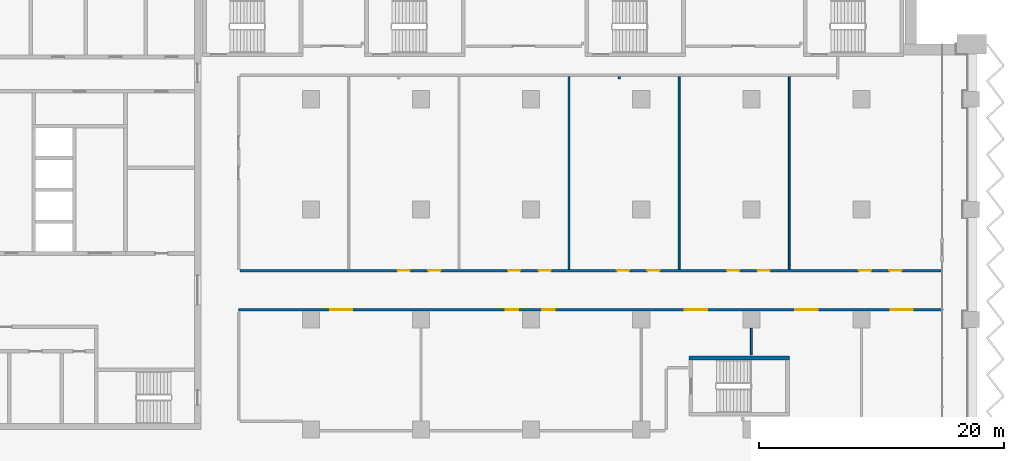
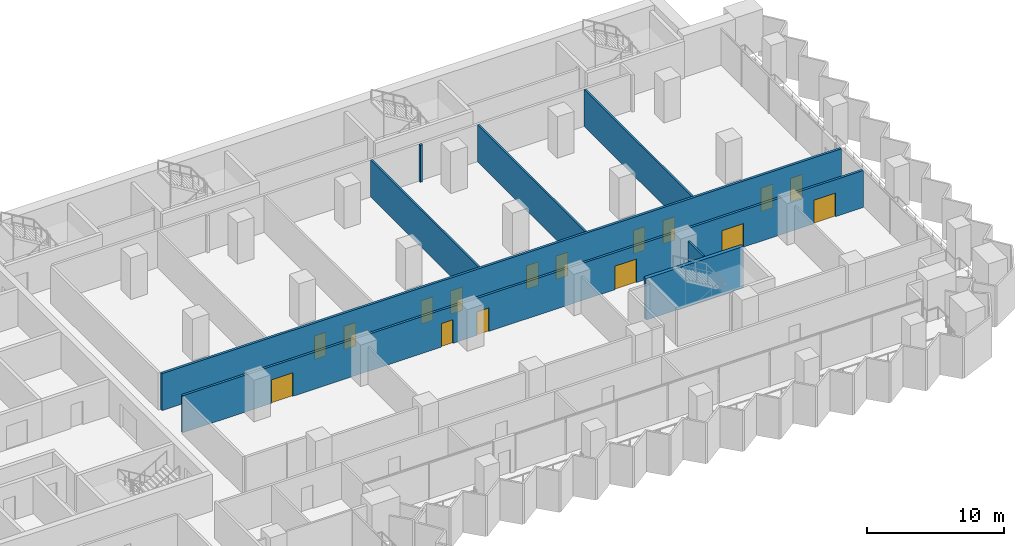
# One storey, part 18 of 29: 16 doors, 8 walls, 16 openings.
"""IFC4 building model written with IfcOpenShell, lengths in metres."""

import ifcopenshell
import ifcopenshell.guid

model = None  # the IFC model being written
_history = None  # IfcOwnerHistory: only IFC2X3 demands one
_inside = {}  # id of a spatial element -> (the spatial element, [elements in it])
_under = {}  # id of a project, library or spatial element -> (it, [spatial elements below it])
_declared = {}  # id of a project -> (the project, [libraries it declares])
_typed = {}  # id of a type object -> (the type object, [elements of that type])
_made_of = {}  # id of a material, layer set ... -> (it, [elements and type objects made of it])


def new_model(schema):
    """Start an empty IFC model of exactly this schema.

    Asked for "IFC4X3", IfcOpenShell would pick the latest addendum, in which some entities
    have other attributes; the version numbers below select the first issue.
    IFC2X3 requires an IfcOwnerHistory on every rooted entity: one is made here for all.
    """
    global model, _history
    if schema == "IFC4X3":
        model = ifcopenshell.file(schema_version=(4, 3, 0, 0))
    else:
        model = ifcopenshell.file(schema=schema)
    _inside.clear()
    _under.clear()
    _declared.clear()
    _typed.clear()
    _made_of.clear()
    _history = None
    if model.schema == "IFC2X3":
        org = make("IfcOrganization", Name="unknown")
        user = make(
            "IfcPersonAndOrganization",
            ThePerson=make("IfcPerson", FamilyName="unknown"),
            TheOrganization=org,
        )
        app = make(
            "IfcApplication",
            ApplicationDeveloper=org,
            Version="unknown",
            ApplicationFullName="unknown",
            ApplicationIdentifier="unknown",
        )
        _history = make(
            "IfcOwnerHistory",
            OwningUser=user,
            OwningApplication=app,
            ChangeAction="ADDED",
            CreationDate=0,
        )
    return model


def make(cls, **values):
    """One entity of the class cls with the attributes given. An attribute that is None is left unset."""
    return model.create_entity(
        cls, **{name: value for name, value in values.items() if value is not None}
    )


def rooted(cls, **values):
    """An entity with a GlobalId (a new one), such as an element, a storey or a relation."""
    return make(cls, GlobalId=ifcopenshell.guid.new(), OwnerHistory=_history, **values)


def si_unit(unit_type, name, prefix=None):
    """IfcSIUnit, for example si_unit("LENGTHUNIT", "METRE", prefix="MILLI")."""
    return make("IfcSIUnit", UnitType=unit_type, Prefix=prefix, Name=name)


def assignment(units):
    """IfcUnitAssignment: the units of a project."""
    return None if units is None else make("IfcUnitAssignment", Units=units)


def point(xyz):
    """IfcCartesianPoint."""
    return None if xyz is None else make("IfcCartesianPoint", Coordinates=xyz)


def direction(xyz):
    """IfcDirection."""
    return None if xyz is None else make("IfcDirection", DirectionRatios=xyz)


def frame(location, z_axis=None, x_axis=None):
    """IfcAxis2Placement3D, a coordinate frame: its origin and axes. An axis left out is left unset."""
    return make(
        "IfcAxis2Placement3D",
        Location=point(location),
        Axis=direction(z_axis),
        RefDirection=direction(x_axis),
    )


def frame_2d(location, x_axis=None):
    """IfcAxis2Placement2D, a coordinate frame in the plane: its origin and x axis."""
    return make(
        "IfcAxis2Placement2D", Location=point(location), RefDirection=direction(x_axis)
    )


def origin():
    """The frame at (0, 0, 0) with its axes left unset."""
    return frame((0.0, 0.0, 0.0))


def place(relative_to, where):
    """IfcLocalPlacement: puts the frame where relative to a parent placement (None: the world)."""
    return make(
        "IfcLocalPlacement", PlacementRelTo=relative_to, RelativePlacement=where
    )


def context(
    kind, dimensions, precision=None, world=None, true_north=None, identifier=None
):
    """IfcGeometricRepresentationContext, for example the 3D "Model" context."""
    return make(
        "IfcGeometricRepresentationContext",
        ContextIdentifier=identifier,
        ContextType=kind,
        CoordinateSpaceDimension=dimensions,
        Precision=precision,
        WorldCoordinateSystem=world,
        TrueNorth=true_north,
    )


def subcontext(parent, identifier, kind, view, scale=None):
    """IfcGeometricRepresentationSubContext, for example "Body" below "Model"."""
    return make(
        "IfcGeometricRepresentationSubContext",
        ContextIdentifier=identifier,
        ContextType=kind,
        ParentContext=parent,
        TargetScale=scale,
        TargetView=view,
    )


def project(units=None, contexts=None):
    """IfcProject with its units and contexts."""
    return rooted(
        "IfcProject",
        Name="project",
        RepresentationContexts=contexts,
        UnitsInContext=assignment(units),
    )


def spatial(cls, under=None, at=None, **own):
    """A site, building, storey or space (cls), placed at a placement, below another one or the project."""
    s = rooted(cls, ObjectPlacement=at, **own)
    if under is not None:
        _under.setdefault(under.id(), (under, []))[1].append(s)
    return s


def profile(cls, at=None, kind="AREA", **sizes):
    """A parametric profile (cls). Its sizes go by their IFC names, for example OverallWidth=200.0."""
    return make(cls, ProfileType=kind, Position=at, **sizes)


def rectangle(**sizes):
    """IfcRectangleProfileDef."""
    return profile("IfcRectangleProfileDef", **sizes)


def extrude(swept, where, along, depth):
    """IfcExtrudedAreaSolid: the profile swept, set in the frame where, extruded along a direction by depth."""
    return make(
        "IfcExtrudedAreaSolid",
        SweptArea=swept,
        Position=where,
        ExtrudedDirection=direction(along),
        Depth=depth,
    )


def shape(context_of_items, identifier, shape_type, items):
    """IfcShapeRepresentation: the items that make up one representation, for example the "Body"."""
    return make(
        "IfcShapeRepresentation",
        ContextOfItems=context_of_items,
        RepresentationIdentifier=identifier,
        RepresentationType=shape_type,
        Items=items,
    )


def material(Name=None, Category=None):
    """IfcMaterial."""
    return make("IfcMaterial", Name=Name, Category=Category)


def layer(
    of_material, thickness, ventilated=None, Name=None, Category=None, Priority=None
):
    """IfcMaterialLayer: one layer of a wall or slab, of a material (None: an air gap)."""
    return make(
        "IfcMaterialLayer",
        Material=of_material,
        LayerThickness=thickness,
        IsVentilated=ventilated,
        Name=Name,
        Category=Category,
        Priority=Priority,
    )


def layer_set(layers, Name=None):
    """IfcMaterialLayerSet."""
    return make("IfcMaterialLayerSet", MaterialLayers=layers, LayerSetName=Name)


def made_of(thing, what):
    """Note that an element or type object is made of a material, layer set ...; save() writes the relation."""
    if what is not None:
        _made_of.setdefault(what.id(), (what, []))[1].append(thing)
    return thing


def type_object(cls, material=None, **own):
    """A type object (cls), such as IfcWallType, which elements share."""
    return made_of(rooted(cls, **own), material)


def element(
    cls,
    number,
    at=None,
    inside=None,
    cuts=None,
    type_object=None,
    material=None,
    context=None,
    identifier="Body",
    shape_type=None,
    held_by="IfcProductDefinitionShape",
    body=None,
    shapes=None,
    **own,
):
    """One element of the class cls, such as IfcWall. Its Tag is "e" and its number.

    at: its placement. inside: the storey or other place that contains it. cuts: it is an
    opening in that element (IfcRelVoidsElement). A single representation is given by context,
    identifier, shape_type and body (its items); several are given by shapes. held_by: the class
    of the entity that holds the representations. save() writes the other relations.
    """
    e = rooted(cls, Tag="e%d" % number, ObjectPlacement=at, **own)
    if body is not None:
        shapes = [shape(context, identifier, shape_type, body)]
    if shapes is not None:
        e.Representation = make(held_by, Representations=shapes)
    if inside is not None:
        _inside.setdefault(inside.id(), (inside, []))[1].append(e)
    if cuts is not None:
        rooted(
            "IfcRelVoidsElement", RelatingBuildingElement=cuts, RelatedOpeningElement=e
        )
    if type_object is not None:
        _typed.setdefault(type_object.id(), (type_object, []))[1].append(e)
    return made_of(e, material)


def fill(opening, filler):
    """IfcRelFillsElement: the door or window that sits in an opening."""
    return rooted(
        "IfcRelFillsElement",
        RelatingOpeningElement=opening,
        RelatedBuildingElement=filler,
    )


def aggregate(whole, parts):
    """IfcRelAggregates: a whole, such as a stair, and the parts it consists of."""
    return rooted("IfcRelAggregates", RelatingObject=whole, RelatedObjects=parts)


def save(model, path):
    """Write the relations noted so far, then the file.

    IfcRelAggregates (storeys below a building ...), IfcRelContainedInSpatialStructure (elements
    in a storey), IfcRelDefinesByType, IfcRelAssociatesMaterial and IfcRelDeclares: one each for
    every whole, place, type object, material and project.
    """
    for whole, parts in _under.values():
        aggregate(whole, parts)
    for where, things in _inside.values():
        rooted(
            "IfcRelContainedInSpatialStructure",
            RelatedElements=things,
            RelatingStructure=where,
        )
    for kind, things in _typed.values():
        rooted("IfcRelDefinesByType", RelatedObjects=things, RelatingType=kind)
    for what, things in _made_of.values():
        rooted("IfcRelAssociatesMaterial", RelatedObjects=things, RelatingMaterial=what)
    for by, libraries in _declared.values():
        rooted("IfcRelDeclares", RelatingContext=by, RelatedDefinitions=libraries)
    model.write(path)


model = new_model("IFC4")

# Units and contexts
model_context = context("Model", 3, precision=1e-05, world=origin(), true_north=direction((0.0, 1.0)))
body_context = subcontext(model_context, "Body", "Model", "MODEL_VIEW")
ifc_project = project(units=[si_unit("LENGTHUNIT", "METRE"), si_unit("AREAUNIT", "SQUARE_METRE"), si_unit("VOLUMEUNIT", "CUBIC_METRE"), si_unit("PLANEANGLEUNIT", "RADIAN"), si_unit("MASSUNIT", "GRAM", prefix="KILO")], contexts=[model_context])

# Site, building, storey
site_placement = place(None, origin())
site = spatial("IfcSite", under=ifc_project, at=site_placement, CompositionType="ELEMENT")
building_placement = place(site_placement, origin())
building = spatial("IfcBuilding", under=site, at=building_placement, Name="Hunhe Ridgeline Campus", CompositionType="ELEMENT")
storey_placement = place(building_placement, frame((0.0, 0.0, 46.89990234375)))
storey = spatial("IfcBuildingStorey", under=building, at=storey_placement, Name="L10", CompositionType="ELEMENT", Elevation=46.89990234375)

# Wall, openings, doors
ifc_material_1 = material(Name="Gypsum board partition")
ifc_layer_1 = layer(ifc_material_1, 0.199951171875)
ifc_layer_set_1 = layer_set([ifc_layer_1], Name="Corridor partition 200 gypsum board on steel studs")
wall_type_1 = type_object("IfcWallType", Name="Corridor partition 200 gypsum board on steel studs", PredefinedType="PARTITIONING", material=ifc_layer_set_1)
wall_1_placement = place(storey_placement, frame((96.544921875, 72.800048828125, 0.0), z_axis=(0.0, 0.0, 1.0), x_axis=(-1.0, 0.0, 0.0)))
wall_1 = element("IfcWall", 1, at=wall_1_placement, inside=storey, type_object=wall_type_1, Name="F-L10-wall-049", PredefinedType="PARTITIONING", context=body_context, shape_type="SweptSolid", body=[
    extrude(rectangle(XDim=57.44482421875, YDim=0.199951171875, at=frame_2d((28.722412109375, 0.0))), origin(), (0.0, 0.0, 1.0), 3.300048828125),
])
opening_1_placement = place(wall_1_placement, frame((48.14501953125, 0.0, 0.0)))
opening_1 = element("IfcOpeningElement", 2, at=opening_1_placement, cuts=wall_1, Name="Opening RD2-029", PredefinedType="OPENING", context=body_context, shape_type="SweptSolid", body=[
    extrude(rectangle(XDim=1.800048828125, YDim=2.10009765625, at=frame_2d((0.89990234375, 1.050048828125))), frame((0.0, 0.10009765625, 0.0), z_axis=(0.0, -1.0, 0.0), x_axis=(1.0, 0.0, 0.0)), (0.0, 0.0, 1.0), 0.199951171875),
])
opening_2_placement = place(wall_1_placement, frame((34.614013671875, 0.0, 0.0)))
opening_2 = element("IfcOpeningElement", 3, at=opening_2_placement, cuts=wall_1, Name="Opening RD1-030", PredefinedType="OPENING", context=body_context, shape_type="SweptSolid", body=[
    extrude(rectangle(XDim=1.0, YDim=2.10009765625, at=frame_2d((0.5, 1.050048828125))), frame((0.0, 0.10009765625, 0.0), z_axis=(0.0, -1.0, 0.0), x_axis=(1.0, 0.0, 0.0)), (0.0, 0.0, 1.0), 0.199951171875),
])
opening_3_placement = place(wall_1_placement, frame((31.614013671875, 0.0, 0.0)))
opening_3 = element("IfcOpeningElement", 4, at=opening_3_placement, cuts=wall_1, Name="Opening RD1-031", PredefinedType="OPENING", context=body_context, shape_type="SweptSolid", body=[
    extrude(rectangle(XDim=1.0, YDim=2.10009765625, at=frame_2d((0.5, 1.050048828125))), frame((0.0, 0.10009765625, 0.0), z_axis=(0.0, -1.0, 0.0), x_axis=(1.0, 0.0, 0.0)), (0.0, 0.0, 1.0), 0.199951171875),
])
opening_4_placement = place(wall_1_placement, frame((19.168212890625, 0.0, 0.0)))
opening_4 = element("IfcOpeningElement", 5, at=opening_4_placement, cuts=wall_1, Name="Opening RD2-032", PredefinedType="OPENING", context=body_context, shape_type="SweptSolid", body=[
    extrude(rectangle(XDim=1.800048828125, YDim=2.10009765625, at=frame_2d((0.89990234375, 1.050048828125))), frame((0.0, 0.10009765625, 0.0), z_axis=(0.0, -1.0, 0.0), x_axis=(1.0, 0.0, 0.0)), (0.0, 0.0, 1.0), 0.199951171875),
])
opening_5_placement = place(wall_1_placement, frame((10.137451171875, 0.0, 0.0)))
opening_5 = element("IfcOpeningElement", 6, at=opening_5_placement, cuts=wall_1, Name="Opening RD2-033", PredefinedType="OPENING", context=body_context, shape_type="SweptSolid", body=[
    extrude(rectangle(XDim=1.800048828125, YDim=2.10009765625, at=frame_2d((0.89990234375, 1.050048828125))), frame((0.0, 0.10009765625, 0.0), z_axis=(0.0, -1.0, 0.0), x_axis=(1.0, 0.0, 0.0)), (0.0, 0.0, 1.0), 0.199951171875),
])
opening_6_placement = place(wall_1_placement, frame((2.361083984375, 0.0, 0.0)))
opening_6 = element("IfcOpeningElement", 7, at=opening_6_placement, cuts=wall_1, Name="Opening RD2-034", PredefinedType="OPENING", context=body_context, shape_type="SweptSolid", body=[
    extrude(rectangle(XDim=1.800048828125, YDim=2.10009765625, at=frame_2d((0.89990234375, 1.050048828125))), frame((0.0, 0.10009765625, 0.0), z_axis=(0.0, -1.0, 0.0), x_axis=(1.0, 0.0, 0.0)), (0.0, 0.0, 1.0), 0.199951171875),
])
ifc_material_2 = material(Name="Timber door leaf", Category="wood")
door_type_1 = type_object("IfcDoorType", Name="Double fire door 1800x2100 timber FD60", OperationType="DOUBLE_DOOR_SINGLE_SWING", PredefinedType="DOOR", material=ifc_material_2)
door_1_placement = place(opening_1_placement, origin())
door_1 = element("IfcDoor", 8, at=door_1_placement, inside=storey, type_object=door_type_1, Name="F-L10-door-029", OperationType="DOUBLE_DOOR_SINGLE_SWING", OverallHeight=2.10009765625, OverallWidth=1.800048828125, PredefinedType="DOOR", context=body_context, shape_type="SweptSolid", body=[
    extrude(rectangle(XDim=1.800048828125, YDim=2.10009765625, at=frame_2d((0.89990234375, 1.050048828125))), frame((0.0, 0.02490234375, 0.0), z_axis=(0.0, -1.0, 0.0), x_axis=(1.0, 0.0, 0.0)), (0.0, 0.0, 1.0), 0.050048828125),
])
fill(opening_1, door_1)
door_2_placement = place(opening_4_placement, origin())
door_2 = element("IfcDoor", 9, at=door_2_placement, inside=storey, type_object=door_type_1, Name="F-L10-door-032", OperationType="DOUBLE_DOOR_SINGLE_SWING", OverallHeight=2.10009765625, OverallWidth=1.800048828125, PredefinedType="DOOR", context=body_context, shape_type="SweptSolid", body=[
    extrude(rectangle(XDim=1.800048828125, YDim=2.10009765625, at=frame_2d((0.89990234375, 1.050048828125))), frame((0.0, 0.02490234375, 0.0), z_axis=(0.0, -1.0, 0.0), x_axis=(1.0, 0.0, 0.0)), (0.0, 0.0, 1.0), 0.050048828125),
])
fill(opening_4, door_2)
door_3_placement = place(opening_5_placement, origin())
door_3 = element("IfcDoor", 10, at=door_3_placement, inside=storey, type_object=door_type_1, Name="F-L10-door-033", OperationType="DOUBLE_DOOR_SINGLE_SWING", OverallHeight=2.10009765625, OverallWidth=1.800048828125, PredefinedType="DOOR", context=body_context, shape_type="SweptSolid", body=[
    extrude(rectangle(XDim=1.800048828125, YDim=2.10009765625, at=frame_2d((0.89990234375, 1.050048828125))), frame((0.0, 0.02490234375, 0.0), z_axis=(0.0, -1.0, 0.0), x_axis=(1.0, 0.0, 0.0)), (0.0, 0.0, 1.0), 0.050048828125),
])
fill(opening_5, door_3)
door_4_placement = place(opening_6_placement, origin())
door_4 = element("IfcDoor", 11, at=door_4_placement, inside=storey, type_object=door_type_1, Name="F-L10-door-034", OperationType="DOUBLE_DOOR_SINGLE_SWING", OverallHeight=2.10009765625, OverallWidth=1.800048828125, PredefinedType="DOOR", context=body_context, shape_type="SweptSolid", body=[
    extrude(rectangle(XDim=1.800048828125, YDim=2.10009765625, at=frame_2d((0.89990234375, 1.050048828125))), frame((0.0, 0.02490234375, 0.0), z_axis=(0.0, -1.0, 0.0), x_axis=(1.0, 0.0, 0.0)), (0.0, 0.0, 1.0), 0.050048828125),
])
fill(opening_6, door_4)
door_type_2 = type_object("IfcDoorType", Name="Single fire door 1000x2100 timber FD60", OperationType="NOTDEFINED", PredefinedType="DOOR", material=ifc_material_2)
door_5_placement = place(opening_2_placement, frame((1.0, 0.0, 0.0), z_axis=(0.0, 0.0, 1.0), x_axis=(-1.0, 0.0, 0.0)))
door_5 = element("IfcDoor", 12, at=door_5_placement, inside=storey, type_object=door_type_2, Name="F-L10-door-030", OperationType="SINGLE_SWING_LEFT", OverallHeight=2.10009765625, OverallWidth=1.0, PredefinedType="DOOR", context=body_context, shape_type="SweptSolid", body=[
    extrude(rectangle(XDim=1.0, YDim=2.10009765625, at=frame_2d((0.5, 1.050048828125))), frame((0.0, 0.02490234375, 0.0), z_axis=(0.0, -1.0, 0.0), x_axis=(1.0, 0.0, 0.0)), (0.0, 0.0, 1.0), 0.050048828125),
])
fill(opening_2, door_5)
door_6_placement = place(opening_3_placement, frame((1.0, 0.0, 0.0), z_axis=(0.0, 0.0, 1.0), x_axis=(-1.0, 0.0, 0.0)))
door_6 = element("IfcDoor", 13, at=door_6_placement, inside=storey, type_object=door_type_2, Name="F-L10-door-031", OperationType="SINGLE_SWING_RIGHT", OverallHeight=2.10009765625, OverallWidth=1.0, PredefinedType="DOOR", context=body_context, shape_type="SweptSolid", body=[
    extrude(rectangle(XDim=1.0, YDim=2.10009765625, at=frame_2d((0.5, 1.050048828125))), frame((0.0, 0.02490234375, 0.0), z_axis=(0.0, -1.0, 0.0), x_axis=(1.0, 0.0, 0.0)), (0.0, 0.0, 1.0), 0.050048828125),
])
fill(opening_3, door_6)

wall_2_placement = place(storey_placement, frame((39.199951171875, 76.0, 0.0), z_axis=(0.0, 0.0, 1.0), x_axis=(1.0, 0.0, 0.0)))
wall_2 = element("IfcWall", 14, at=wall_2_placement, inside=storey, type_object=wall_type_1, Name="F-L10-wall-050", PredefinedType="PARTITIONING", context=body_context, shape_type="SweptSolid", body=[
    extrude(rectangle(XDim=57.344970703125, YDim=0.199951171875, at=frame_2d((28.67236328125, 0.0))), origin(), (0.0, 0.0, 1.0), 3.300048828125),
])
opening_7_placement = place(wall_2_placement, frame((12.897216796875, 0.0, 0.0)))
opening_7 = element("IfcOpeningElement", 15, at=opening_7_placement, cuts=wall_2, Name="Opening RD1-035", PredefinedType="OPENING", context=body_context, shape_type="SweptSolid", body=[
    extrude(rectangle(XDim=1.0, YDim=2.10009765625, at=frame_2d((0.5, 1.050048828125))), frame((0.0, 0.10009765625, 0.0), z_axis=(0.0, -1.0, 0.0), x_axis=(1.0, 0.0, 0.0)), (0.0, 0.0, 1.0), 0.199951171875),
])
opening_8_placement = place(wall_2_placement, frame((15.397216796875, 0.0, 0.0)))
opening_8 = element("IfcOpeningElement", 16, at=opening_8_placement, cuts=wall_2, Name="Opening RD1-036", PredefinedType="OPENING", context=body_context, shape_type="SweptSolid", body=[
    extrude(rectangle(XDim=1.0, YDim=2.10009765625, at=frame_2d((0.5, 1.050048828125))), frame((0.0, 0.10009765625, 0.0), z_axis=(0.0, -1.0, 0.0), x_axis=(1.0, 0.0, 0.0)), (0.0, 0.0, 1.0), 0.199951171875),
])
opening_9_placement = place(wall_2_placement, frame((21.912109375, 0.0, 0.0)))
opening_9 = element("IfcOpeningElement", 17, at=opening_9_placement, cuts=wall_2, Name="Opening RD1-037", PredefinedType="OPENING", context=body_context, shape_type="SweptSolid", body=[
    extrude(rectangle(XDim=1.0, YDim=2.10009765625, at=frame_2d((0.5, 1.050048828125))), frame((0.0, 0.10009765625, 0.0), z_axis=(0.0, -1.0, 0.0), x_axis=(1.0, 0.0, 0.0)), (0.0, 0.0, 1.0), 0.199951171875),
])
opening_10_placement = place(wall_2_placement, frame((24.412109375, 0.0, 0.0)))
opening_10 = element("IfcOpeningElement", 18, at=opening_10_placement, cuts=wall_2, Name="Opening RD1-038", PredefinedType="OPENING", context=body_context, shape_type="SweptSolid", body=[
    extrude(rectangle(XDim=1.0, YDim=2.10009765625, at=frame_2d((0.5, 1.050048828125))), frame((0.0, 0.10009765625, 0.0), z_axis=(0.0, -1.0, 0.0), x_axis=(1.0, 0.0, 0.0)), (0.0, 0.0, 1.0), 0.199951171875),
])
opening_11_placement = place(wall_2_placement, frame((30.802001953125, 0.0, 0.0)))
opening_11 = element("IfcOpeningElement", 19, at=opening_11_placement, cuts=wall_2, Name="Opening RD1-039", PredefinedType="OPENING", context=body_context, shape_type="SweptSolid", body=[
    extrude(rectangle(XDim=1.0, YDim=2.10009765625, at=frame_2d((0.5, 1.050048828125))), frame((0.0, 0.10009765625, 0.0), z_axis=(0.0, -1.0, 0.0), x_axis=(1.0, 0.0, 0.0)), (0.0, 0.0, 1.0), 0.199951171875),
])
opening_12_placement = place(wall_2_placement, frame((33.302001953125, 0.0, 0.0)))
opening_12 = element("IfcOpeningElement", 20, at=opening_12_placement, cuts=wall_2, Name="Opening RD1-040", PredefinedType="OPENING", context=body_context, shape_type="SweptSolid", body=[
    extrude(rectangle(XDim=1.0, YDim=2.10009765625, at=frame_2d((0.5, 1.050048828125))), frame((0.0, 0.10009765625, 0.0), z_axis=(0.0, -1.0, 0.0), x_axis=(1.0, 0.0, 0.0)), (0.0, 0.0, 1.0), 0.199951171875),
])
opening_13_placement = place(wall_2_placement, frame((39.81689453125, 0.0, 0.0)))
opening_13 = element("IfcOpeningElement", 21, at=opening_13_placement, cuts=wall_2, Name="Opening RD1-041", PredefinedType="OPENING", context=body_context, shape_type="SweptSolid", body=[
    extrude(rectangle(XDim=1.0, YDim=2.10009765625, at=frame_2d((0.5, 1.050048828125))), frame((0.0, 0.10009765625, 0.0), z_axis=(0.0, -1.0, 0.0), x_axis=(1.0, 0.0, 0.0)), (0.0, 0.0, 1.0), 0.199951171875),
])
opening_14_placement = place(wall_2_placement, frame((42.31689453125, 0.0, 0.0)))
opening_14 = element("IfcOpeningElement", 22, at=opening_14_placement, cuts=wall_2, Name="Opening RD1-042", PredefinedType="OPENING", context=body_context, shape_type="SweptSolid", body=[
    extrude(rectangle(XDim=1.0, YDim=2.10009765625, at=frame_2d((0.5, 1.050048828125))), frame((0.0, 0.10009765625, 0.0), z_axis=(0.0, -1.0, 0.0), x_axis=(1.0, 0.0, 0.0)), (0.0, 0.0, 1.0), 0.199951171875),
])
opening_15_placement = place(wall_2_placement, frame((50.584716796875, 0.0, 0.0)))
opening_15 = element("IfcOpeningElement", 23, at=opening_15_placement, cuts=wall_2, Name="Opening RD1-043", PredefinedType="OPENING", context=body_context, shape_type="SweptSolid", body=[
    extrude(rectangle(XDim=1.0, YDim=2.10009765625, at=frame_2d((0.5, 1.050048828125))), frame((0.0, 0.10009765625, 0.0), z_axis=(0.0, -1.0, 0.0), x_axis=(1.0, 0.0, 0.0)), (0.0, 0.0, 1.0), 0.199951171875),
])
opening_16_placement = place(wall_2_placement, frame((53.084716796875, 0.0, 0.0)))
opening_16 = element("IfcOpeningElement", 24, at=opening_16_placement, cuts=wall_2, Name="Opening RD1-044", PredefinedType="OPENING", context=body_context, shape_type="SweptSolid", body=[
    extrude(rectangle(XDim=1.0, YDim=2.10009765625, at=frame_2d((0.5, 1.050048828125))), frame((0.0, 0.10009765625, 0.0), z_axis=(0.0, -1.0, 0.0), x_axis=(1.0, 0.0, 0.0)), (0.0, 0.0, 1.0), 0.199951171875),
])
door_7_placement = place(opening_7_placement, frame((1.0, 0.0, 0.0), z_axis=(0.0, 0.0, 1.0), x_axis=(-1.0, 0.0, 0.0)))
door_7 = element("IfcDoor", 25, at=door_7_placement, inside=storey, type_object=door_type_2, Name="F-L10-door-035", OperationType="SINGLE_SWING_LEFT", OverallHeight=2.10009765625, OverallWidth=1.0, PredefinedType="DOOR", context=body_context, shape_type="SweptSolid", body=[
    extrude(rectangle(XDim=1.0, YDim=2.10009765625, at=frame_2d((0.5, 1.050048828125))), frame((0.0, 0.02490234375, 0.0), z_axis=(0.0, -1.0, 0.0), x_axis=(1.0, 0.0, 0.0)), (0.0, 0.0, 1.0), 0.050048828125),
])
fill(opening_7, door_7)
door_8_placement = place(opening_8_placement, frame((1.0, 0.0, 0.0), z_axis=(0.0, 0.0, 1.0), x_axis=(-1.0, 0.0, 0.0)))
door_8 = element("IfcDoor", 26, at=door_8_placement, inside=storey, type_object=door_type_2, Name="F-L10-door-036", OperationType="SINGLE_SWING_LEFT", OverallHeight=2.10009765625, OverallWidth=1.0, PredefinedType="DOOR", context=body_context, shape_type="SweptSolid", body=[
    extrude(rectangle(XDim=1.0, YDim=2.10009765625, at=frame_2d((0.5, 1.050048828125))), frame((0.0, 0.02490234375, 0.0), z_axis=(0.0, -1.0, 0.0), x_axis=(1.0, 0.0, 0.0)), (0.0, 0.0, 1.0), 0.050048828125),
])
fill(opening_8, door_8)
door_9_placement = place(opening_9_placement, frame((1.0, 0.0, 0.0), z_axis=(0.0, 0.0, 1.0), x_axis=(-1.0, 0.0, 0.0)))
door_9 = element("IfcDoor", 27, at=door_9_placement, inside=storey, type_object=door_type_2, Name="F-L10-door-037", OperationType="SINGLE_SWING_RIGHT", OverallHeight=2.10009765625, OverallWidth=1.0, PredefinedType="DOOR", context=body_context, shape_type="SweptSolid", body=[
    extrude(rectangle(XDim=1.0, YDim=2.10009765625, at=frame_2d((0.5, 1.050048828125))), frame((0.0, 0.02490234375, 0.0), z_axis=(0.0, -1.0, 0.0), x_axis=(1.0, 0.0, 0.0)), (0.0, 0.0, 1.0), 0.050048828125),
])
fill(opening_9, door_9)
door_10_placement = place(opening_10_placement, frame((1.0, 0.0, 0.0), z_axis=(0.0, 0.0, 1.0), x_axis=(-1.0, 0.0, 0.0)))
door_10 = element("IfcDoor", 28, at=door_10_placement, inside=storey, type_object=door_type_2, Name="F-L10-door-038", OperationType="SINGLE_SWING_LEFT", OverallHeight=2.10009765625, OverallWidth=1.0, PredefinedType="DOOR", context=body_context, shape_type="SweptSolid", body=[
    extrude(rectangle(XDim=1.0, YDim=2.10009765625, at=frame_2d((0.5, 1.050048828125))), frame((0.0, 0.02490234375, 0.0), z_axis=(0.0, -1.0, 0.0), x_axis=(1.0, 0.0, 0.0)), (0.0, 0.0, 1.0), 0.050048828125),
])
fill(opening_10, door_10)
door_11_placement = place(opening_11_placement, frame((1.0, 0.0, 0.0), z_axis=(0.0, 0.0, 1.0), x_axis=(-1.0, 0.0, 0.0)))
door_11 = element("IfcDoor", 29, at=door_11_placement, inside=storey, type_object=door_type_2, Name="F-L10-door-039", OperationType="SINGLE_SWING_LEFT", OverallHeight=2.10009765625, OverallWidth=1.0, PredefinedType="DOOR", context=body_context, shape_type="SweptSolid", body=[
    extrude(rectangle(XDim=1.0, YDim=2.10009765625, at=frame_2d((0.5, 1.050048828125))), frame((0.0, 0.02490234375, 0.0), z_axis=(0.0, -1.0, 0.0), x_axis=(1.0, 0.0, 0.0)), (0.0, 0.0, 1.0), 0.050048828125),
])
fill(opening_11, door_11)
door_12_placement = place(opening_12_placement, frame((1.0, 0.0, 0.0), z_axis=(0.0, 0.0, 1.0), x_axis=(-1.0, 0.0, 0.0)))
door_12 = element("IfcDoor", 30, at=door_12_placement, inside=storey, type_object=door_type_2, Name="F-L10-door-040", OperationType="SINGLE_SWING_LEFT", OverallHeight=2.10009765625, OverallWidth=1.0, PredefinedType="DOOR", context=body_context, shape_type="SweptSolid", body=[
    extrude(rectangle(XDim=1.0, YDim=2.10009765625, at=frame_2d((0.5, 1.050048828125))), frame((0.0, 0.02490234375, 0.0), z_axis=(0.0, -1.0, 0.0), x_axis=(1.0, 0.0, 0.0)), (0.0, 0.0, 1.0), 0.050048828125),
])
fill(opening_12, door_12)
door_13_placement = place(opening_13_placement, frame((1.0, 0.0, 0.0), z_axis=(0.0, 0.0, 1.0), x_axis=(-1.0, 0.0, 0.0)))
door_13 = element("IfcDoor", 31, at=door_13_placement, inside=storey, type_object=door_type_2, Name="F-L10-door-041", OperationType="SINGLE_SWING_LEFT", OverallHeight=2.10009765625, OverallWidth=1.0, PredefinedType="DOOR", context=body_context, shape_type="SweptSolid", body=[
    extrude(rectangle(XDim=1.0, YDim=2.10009765625, at=frame_2d((0.5, 1.050048828125))), frame((0.0, 0.02490234375, 0.0), z_axis=(0.0, -1.0, 0.0), x_axis=(1.0, 0.0, 0.0)), (0.0, 0.0, 1.0), 0.050048828125),
])
fill(opening_13, door_13)
door_14_placement = place(opening_14_placement, frame((1.0, 0.0, 0.0), z_axis=(0.0, 0.0, 1.0), x_axis=(-1.0, 0.0, 0.0)))
door_14 = element("IfcDoor", 32, at=door_14_placement, inside=storey, type_object=door_type_2, Name="F-L10-door-042", OperationType="SINGLE_SWING_LEFT", OverallHeight=2.10009765625, OverallWidth=1.0, PredefinedType="DOOR", context=body_context, shape_type="SweptSolid", body=[
    extrude(rectangle(XDim=1.0, YDim=2.10009765625, at=frame_2d((0.5, 1.050048828125))), frame((0.0, 0.02490234375, 0.0), z_axis=(0.0, -1.0, 0.0), x_axis=(1.0, 0.0, 0.0)), (0.0, 0.0, 1.0), 0.050048828125),
])
fill(opening_14, door_14)
door_15_placement = place(opening_15_placement, frame((1.0, 0.0, 0.0), z_axis=(0.0, 0.0, 1.0), x_axis=(-1.0, 0.0, 0.0)))
door_15 = element("IfcDoor", 33, at=door_15_placement, inside=storey, type_object=door_type_2, Name="F-L10-door-043", OperationType="SINGLE_SWING_LEFT", OverallHeight=2.10009765625, OverallWidth=1.0, PredefinedType="DOOR", context=body_context, shape_type="SweptSolid", body=[
    extrude(rectangle(XDim=1.0, YDim=2.10009765625, at=frame_2d((0.5, 1.050048828125))), frame((0.0, 0.02490234375, 0.0), z_axis=(0.0, -1.0, 0.0), x_axis=(1.0, 0.0, 0.0)), (0.0, 0.0, 1.0), 0.050048828125),
])
fill(opening_15, door_15)
door_16_placement = place(opening_16_placement, frame((1.0, 0.0, 0.0), z_axis=(0.0, 0.0, 1.0), x_axis=(-1.0, 0.0, 0.0)))
door_16 = element("IfcDoor", 34, at=door_16_placement, inside=storey, type_object=door_type_2, Name="F-L10-door-044", OperationType="SINGLE_SWING_LEFT", OverallHeight=2.10009765625, OverallWidth=1.0, PredefinedType="DOOR", context=body_context, shape_type="SweptSolid", body=[
    extrude(rectangle(XDim=1.0, YDim=2.10009765625, at=frame_2d((0.5, 1.050048828125))), frame((0.0, 0.02490234375, 0.0), z_axis=(0.0, -1.0, 0.0), x_axis=(1.0, 0.0, 0.0)), (0.0, 0.0, 1.0), 0.050048828125),
])
fill(opening_16, door_16)

# Walls
wall_3_placement = place(storey_placement, frame((70.199951171875, 91.85009765625, 0.0), z_axis=(0.0, 0.0, 1.0), x_axis=(0.0, -1.0, 0.0)))
element("IfcWall", 35, at=wall_3_placement, inside=storey, type_object=wall_type_1, Name="F-L10-wall-081", PredefinedType="PARTITIONING", context=body_context, shape_type="SweptSolid", body=[
    extrude(rectangle(XDim=0.2001953125, YDim=0.199951171875, at=frame_2d((0.10009765625, 0.0))), origin(), (0.0, 0.0, 1.0), 3.300048828125),
])
ifc_layer_2 = layer(ifc_material_1, 0.14990234375)
ifc_layer_set_2 = layer_set([ifc_layer_2], Name="Room partition 150 gypsum board on steel studs")
wall_type_2 = type_object("IfcWallType", Name="Room partition 150 gypsum board on steel studs", PredefinedType="PARTITIONING", material=ifc_layer_set_2)
for number, where, z_axis, x_axis, name in (
    (36, (66.10009765625, 91.85009765625, 0.0), (0.0, 0.0, 1.0), (0.0, -1.0, 0.0), "F-L10-wall-079"),
    (37, (75.10009765625, 91.85009765625, 0.0), (0.0, 0.0, 1.0), (0.0, -1.0, 0.0), "F-L10-wall-085"),
):
    element("IfcWall", number, at=place(storey_placement, frame(where, z_axis=z_axis, x_axis=x_axis)), inside=storey, type_object=wall_type_2, Name=name, PredefinedType="PARTITIONING", context=body_context, shape_type="SweptSolid", body=[
        extrude(rectangle(XDim=15.75, YDim=0.14990234375, at=frame_2d((7.875, 0.0))), origin(), (0.0, 0.0, 1.0), 3.300048828125),
    ])
wall_4_placement = place(storey_placement, frame((81.0, 71.300048828125, 0.0), z_axis=(0.0, 0.0, 1.0), x_axis=(0.0, -1.0, 0.0)))
element("IfcWall", 38, at=wall_4_placement, inside=storey, type_object=wall_type_2, Name="F-L10-wall-087", PredefinedType="PARTITIONING", context=body_context, shape_type="SweptSolid", body=[
    extrude(rectangle(XDim=2.196044921875, YDim=0.14990234375, at=frame_2d((1.09814453125, 0.0))), origin(), (0.0, 0.0, 1.0), 3.300048828125),
])
wall_5_placement = place(storey_placement, frame((84.10009765625, 91.85009765625, 0.0), z_axis=(0.0, 0.0, 1.0), x_axis=(0.0, -1.0, 0.0)))
element("IfcWall", 39, at=wall_5_placement, inside=storey, type_object=wall_type_2, Name="F-L10-wall-088", PredefinedType="PARTITIONING", context=body_context, shape_type="SweptSolid", body=[
    extrude(rectangle(XDim=15.75, YDim=0.14990234375, at=frame_2d((7.875, 0.0))), origin(), (0.0, 0.0, 1.0), 3.300048828125),
])
ifc_material_3 = material(Name="Concrete C80", Category="concrete")
ifc_layer_3 = layer(ifc_material_3, 0.300048828125)
ifc_layer_set_3 = layer_set([ifc_layer_3], Name="Stair wall 300 reinforced concrete C80")
wall_type_3 = type_object("IfcWallType", Name="Stair wall 300 reinforced concrete C80", PredefinedType="SOLIDWALL", material=ifc_layer_set_3)
wall_6_placement = place(storey_placement, frame((75.89990234375, 68.85009765625, -0.39990234375), z_axis=(0.0, 0.0, 1.0), x_axis=(1.0, 0.0, 0.0)))
element("IfcWall", 40, at=wall_6_placement, inside=storey, type_object=wall_type_3, Name="L10 core wall 10", PredefinedType="SOLIDWALL", context=body_context, shape_type="SweptSolid", body=[
    extrude(rectangle(XDim=8.2001953125, YDim=0.300048828125, at=frame_2d((4.10009765625, 0.0))), origin(), (0.0, 0.0, 1.0), 3.699951171875),
])

save(model, "model.ifc")
